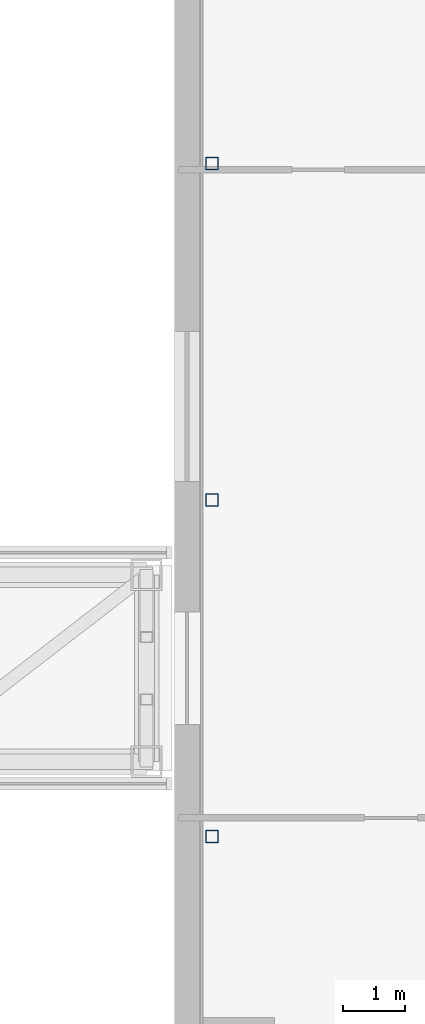
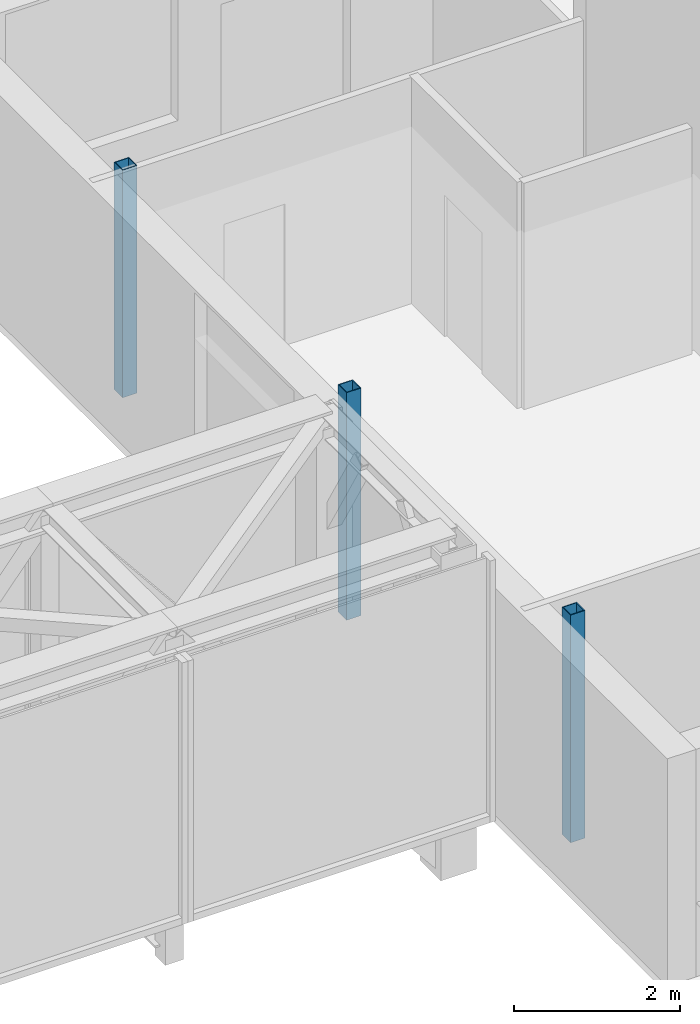
# One storey, part 2 of 23: 3 columns.
"""IFC4 building model written with IfcOpenShell, lengths in metres."""

from ifc_helpers import new_model, si_unit, direction, frame, origin, origin_2d, place, context, subcontext, project, spatial, hollow_rectangle, extrude, material, material_profile, profile_set, type_object, element, save


model = new_model("IFC4")

# Units and contexts
model_context = context("Model", 3, precision=1e-05, world=origin(), true_north=direction((0.0, 1.0)))
body_context = subcontext(model_context, "Body", "Model", "MODEL_VIEW")
ifc_project = project(units=[si_unit("LENGTHUNIT", "METRE"), si_unit("AREAUNIT", "SQUARE_METRE"), si_unit("VOLUMEUNIT", "CUBIC_METRE"), si_unit("PLANEANGLEUNIT", "RADIAN"), si_unit("MASSUNIT", "GRAM", prefix="KILO")], contexts=[model_context])

# Site, building, storey
site_placement = place(None, origin())
site = spatial("IfcSite", under=ifc_project, at=site_placement, CompositionType="ELEMENT")
building_placement = place(site_placement, origin())
building = spatial("IfcBuilding", under=site, at=building_placement, Name="Iwan Alto Co-Living Towers", CompositionType="ELEMENT")
storey_placement = place(building_placement, frame((0.0, 0.0, 129.5)))
storey = spatial("IfcBuildingStorey", under=building, at=storey_placement, Name="L35", CompositionType="ELEMENT", Elevation=129.5)

# Columns
ifc_material = material(Name="Steel ASTM A500 Gr C", Category="steel")
ifc_material_profile = material_profile(ifc_material, hollow_rectangle(XDim=0.203125, YDim=0.203125, WallThickness=0.01171875, at=origin_2d()), Name="HSS8X8X1/2")
ifc_profile_set = profile_set([ifc_material_profile], Name="Steel ASTM A500 Gr C")
column_type = type_object("IfcColumnType", Name="ROOF LOUNGE POST HSS8X8X1/2", PredefinedType="COLUMN", material=ifc_profile_set)
for number, where, z_axis, x_axis, name in (
    (1, (49.35009765625, 8.10009765625, 0.0), (0.0, 0.0, 1.0), (1.0, 0.0, 0.0), "T2 roof lounge post W1"),
    (2, (49.35009765625, 2.699951171875, 0.0), (0.0, 0.0, 1.0), (1.0, 0.0, 0.0), "T2 roof lounge post W2"),
    (3, (49.35009765625, -2.699951171875, 0.0), (0.0, 0.0, 1.0), (1.0, 0.0, 0.0), "T2 roof lounge post W3"),
):
    element("IfcColumn", number, at=place(storey_placement, frame(where, z_axis=z_axis, x_axis=x_axis)), inside=storey, type_object=column_type, Name=name, PredefinedType="COLUMN", context=body_context, shape_type="SweptSolid", body=[
        extrude(hollow_rectangle(XDim=0.203125, YDim=0.203125, WallThickness=0.01171875, at=origin_2d()), origin(), (0.0, 0.0, 1.0), 3.35009765625),
    ])

save(model, "model.ifc")
